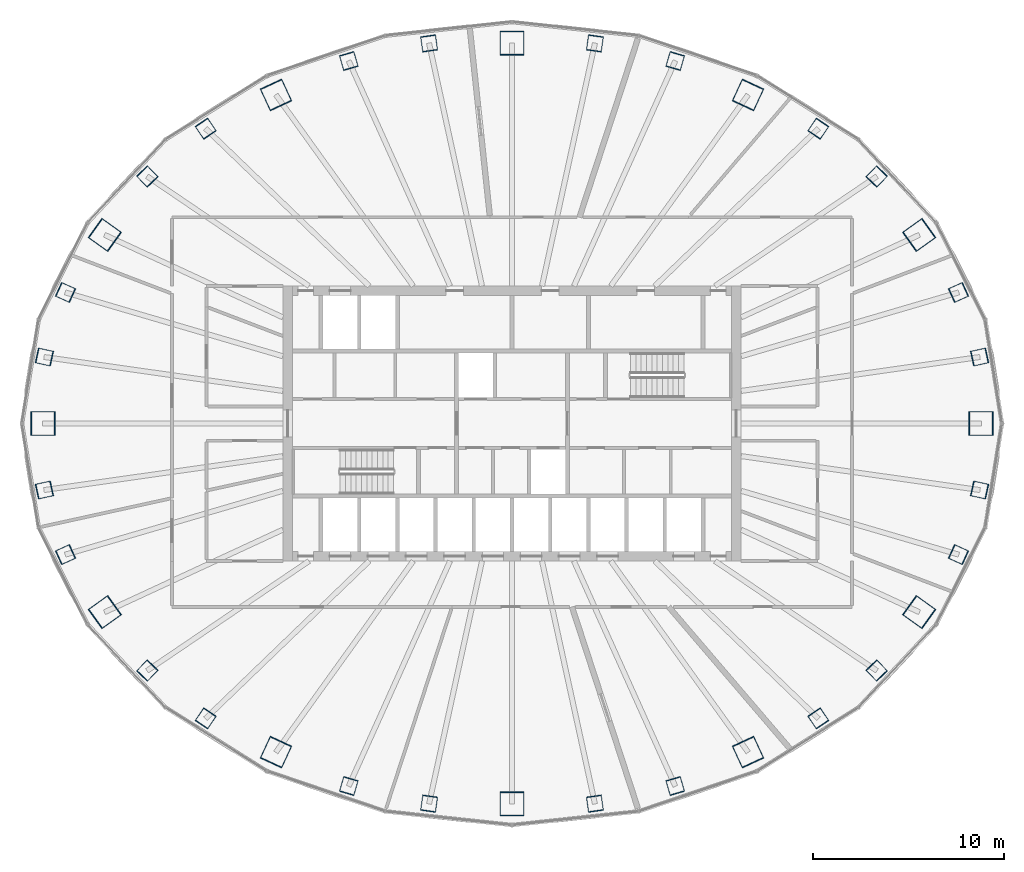
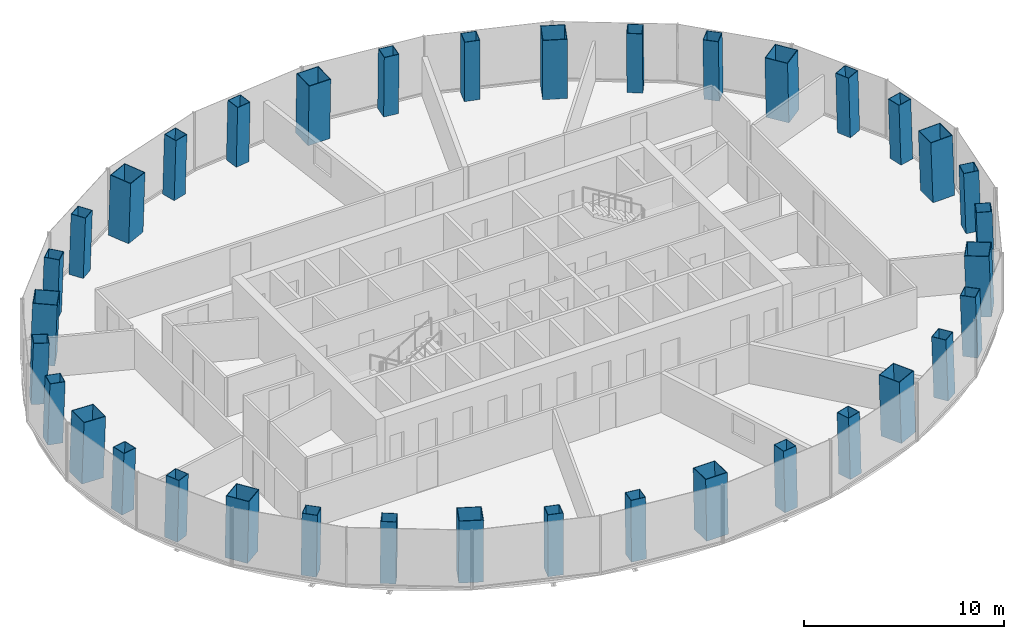
# One storey, part 1 of 12: 36 columns.
"""IFC4 building model written with IfcOpenShell, lengths in metres."""

from ifc_helpers import new_model, si_unit, direction, frame, origin, origin_2d, place, context, subcontext, project, spatial, hollow_rectangle, extrude, material, material_profile, profile_set, type_object, element, save


model = new_model("IFC4")

# Units and contexts
model_context = context("Model", 3, precision=1e-05, world=origin(), true_north=direction((0.0, 1.0)))
body_context = subcontext(model_context, "Body", "Model", "MODEL_VIEW")
ifc_project = project(units=[si_unit("LENGTHUNIT", "METRE"), si_unit("AREAUNIT", "SQUARE_METRE"), si_unit("VOLUMEUNIT", "CUBIC_METRE"), si_unit("PLANEANGLEUNIT", "RADIAN"), si_unit("MASSUNIT", "GRAM", prefix="KILO")], contexts=[model_context])

# Site, building, storey
site_placement = place(None, origin())
site = spatial("IfcSite", under=ifc_project, at=site_placement, CompositionType="ELEMENT")
building_placement = place(site_placement, origin())
building = spatial("IfcBuilding", under=site, at=building_placement, Name="Siaravel Broadcast Tower", CompositionType="ELEMENT")
storey_placement = place(building_placement, frame((0.0, 0.0, 111.89990234375)))
storey = spatial("IfcBuildingStorey", under=building, at=storey_placement, Name="L26", CompositionType="ELEMENT", Elevation=111.89990234375)

# Columns
ifc_material = material(Name="Concrete C60/75", Category="concrete")
ifc_material_profile_1 = material_profile(ifc_material, hollow_rectangle(XDim=1.25, YDim=1.25, WallThickness=0.031982421875, at=origin_2d()))
ifc_profile_set_1 = profile_set([ifc_material_profile_1], Name="Concrete C60/75")
column_type_1 = type_object("IfcColumnType", Name="COL-CFT BOX 1250x1250x32", PredefinedType="COLUMN", material=ifc_profile_set_1)
column_1_placement = place(storey_placement, frame((24.5693359375, 0.0, 0.0), z_axis=(-0.034553121, 0.0, 0.999402863), x_axis=(0.0, -1.0, 0.0)))
element("IfcColumn", 1, at=column_1_placement, inside=storey, type_object=column_type_1, Name="Megacolumn MC01", PredefinedType="COLUMN", context=body_context, shape_type="SweptSolid", body=[
    extrude(hollow_rectangle(XDim=1.25, YDim=1.25, WallThickness=0.031982421875, at=origin_2d()), origin(), (0.0, 0.0, 1.0), 3.702392578125),
])
column_2_placement = place(storey_placement, frame((21.331298828125, 9.87939453125, 0.0), z_axis=(-0.030004578, -0.014177988, 0.999449203), x_axis=(0.582303599, -0.812949646, 0.005949061)))
element("IfcColumn", 2, at=column_2_placement, inside=storey, type_object=column_type_1, Name="Megacolumn MC02", PredefinedType="COLUMN", context=body_context, shape_type="SweptSolid", body=[
    extrude(hollow_rectangle(XDim=1.25, YDim=1.25, WallThickness=0.031982421875, at=origin_2d()), origin(), (0.0, 0.0, 1.0), 3.7021484375),
])
column_3_placement = place(storey_placement, frame((12.364501953125, 17.214599609375, 0.0), z_axis=(-0.017345029, -0.024533653, 0.999548523), x_axis=(0.907130026, -0.420815662, 0.005412495)))
element("IfcColumn", 3, at=column_3_placement, inside=storey, type_object=column_type_1, Name="Megacolumn MC03", PredefinedType="COLUMN", context=body_context, shape_type="SweptSolid", body=[
    extrude(hollow_rectangle(XDim=1.25, YDim=1.25, WallThickness=0.031982421875, at=origin_2d()), origin(), (0.0, 0.0, 1.0), 3.701904296875),
])
column_4_placement = place(storey_placement, frame((0.0, 19.926025390625, 0.0), z_axis=(0.0, -0.028294289, 0.999599636), x_axis=(1.0, 0.0, 0.0)))
element("IfcColumn", 4, at=column_4_placement, inside=storey, type_object=column_type_1, Name="Megacolumn MC04", PredefinedType="COLUMN", context=body_context, shape_type="SweptSolid", body=[
    extrude(hollow_rectangle(XDim=1.25, YDim=1.25, WallThickness=0.031982421875, at=origin_2d()), origin(), (0.0, 0.0, 1.0), 3.70166015625),
])
column_5_placement = place(storey_placement, frame((-12.364501953125, 17.214599609375, 0.0), z_axis=(0.017345029, -0.024533653, 0.999548523), x_axis=(0.907130026, 0.420815662, -0.005412495)))
element("IfcColumn", 5, at=column_5_placement, inside=storey, type_object=column_type_1, Name="Megacolumn MC05", PredefinedType="COLUMN", context=body_context, shape_type="SweptSolid", body=[
    extrude(hollow_rectangle(XDim=1.25, YDim=1.25, WallThickness=0.031982421875, at=origin_2d()), origin(), (0.0, 0.0, 1.0), 3.701904296875),
])
column_6_placement = place(storey_placement, frame((-21.331298828125, 9.87939453125, 0.0), z_axis=(0.030004578, -0.014177988, 0.999449203), x_axis=(0.582303599, 0.812949646, -0.005949061)))
element("IfcColumn", 6, at=column_6_placement, inside=storey, type_object=column_type_1, Name="Megacolumn MC06", PredefinedType="COLUMN", context=body_context, shape_type="SweptSolid", body=[
    extrude(hollow_rectangle(XDim=1.25, YDim=1.25, WallThickness=0.031982421875, at=origin_2d()), origin(), (0.0, 0.0, 1.0), 3.7021484375),
])
column_7_placement = place(storey_placement, frame((-24.5693359375, 0.0, 0.0), z_axis=(0.034553121, 0.0, 0.999402863), x_axis=(0.0, 1.0, 0.0)))
element("IfcColumn", 7, at=column_7_placement, inside=storey, type_object=column_type_1, Name="Megacolumn MC07", PredefinedType="COLUMN", context=body_context, shape_type="SweptSolid", body=[
    extrude(hollow_rectangle(XDim=1.25, YDim=1.25, WallThickness=0.031982421875, at=origin_2d()), origin(), (0.0, 0.0, 1.0), 3.702392578125),
])
column_8_placement = place(storey_placement, frame((-21.331298828125, -9.87939453125, 0.0), z_axis=(0.030004578, 0.014177988, 0.999449203), x_axis=(-0.582303599, 0.812949646, 0.005949061)))
element("IfcColumn", 8, at=column_8_placement, inside=storey, type_object=column_type_1, Name="Megacolumn MC08", PredefinedType="COLUMN", context=body_context, shape_type="SweptSolid", body=[
    extrude(hollow_rectangle(XDim=1.25, YDim=1.25, WallThickness=0.031982421875, at=origin_2d()), origin(), (0.0, 0.0, 1.0), 3.7021484375),
])
column_9_placement = place(storey_placement, frame((-12.364501953125, -17.214599609375, 0.0), z_axis=(0.017345029, 0.024533653, 0.999548523), x_axis=(-0.907130026, 0.420815662, 0.005412495)))
element("IfcColumn", 9, at=column_9_placement, inside=storey, type_object=column_type_1, Name="Megacolumn MC09", PredefinedType="COLUMN", context=body_context, shape_type="SweptSolid", body=[
    extrude(hollow_rectangle(XDim=1.25, YDim=1.25, WallThickness=0.031982421875, at=origin_2d()), origin(), (0.0, 0.0, 1.0), 3.701904296875),
])
column_10_placement = place(storey_placement, frame((0.0, -19.926025390625, 0.0), z_axis=(0.0, 0.028294289, 0.999599636), x_axis=(-1.0, 0.0, 0.0)))
element("IfcColumn", 10, at=column_10_placement, inside=storey, type_object=column_type_1, Name="Megacolumn MC10", PredefinedType="COLUMN", context=body_context, shape_type="SweptSolid", body=[
    extrude(hollow_rectangle(XDim=1.25, YDim=1.25, WallThickness=0.031982421875, at=origin_2d()), origin(), (0.0, 0.0, 1.0), 3.70166015625),
])
column_11_placement = place(storey_placement, frame((12.364501953125, -17.214599609375, 0.0), z_axis=(-0.017345029, 0.024533653, 0.999548523), x_axis=(-0.907130026, -0.420815662, -0.005412495)))
element("IfcColumn", 11, at=column_11_placement, inside=storey, type_object=column_type_1, Name="Megacolumn MC11", PredefinedType="COLUMN", context=body_context, shape_type="SweptSolid", body=[
    extrude(hollow_rectangle(XDim=1.25, YDim=1.25, WallThickness=0.031982421875, at=origin_2d()), origin(), (0.0, 0.0, 1.0), 3.701904296875),
])
column_12_placement = place(storey_placement, frame((21.331298828125, -9.87939453125, 0.0), z_axis=(-0.030004578, 0.014177988, 0.999449203), x_axis=(-0.582303599, -0.812949646, -0.005949061)))
element("IfcColumn", 12, at=column_12_placement, inside=storey, type_object=column_type_1, Name="Megacolumn MC12", PredefinedType="COLUMN", context=body_context, shape_type="SweptSolid", body=[
    extrude(hollow_rectangle(XDim=1.25, YDim=1.25, WallThickness=0.031982421875, at=origin_2d()), origin(), (0.0, 0.0, 1.0), 3.7021484375),
])
ifc_material_profile_2 = material_profile(ifc_material, hollow_rectangle(XDim=0.800048828125, YDim=0.800048828125, WallThickness=0.02490234375, at=origin_2d()))
ifc_profile_set_2 = profile_set([ifc_material_profile_2], Name="Concrete C60/75")
column_type_2 = type_object("IfcColumnType", Name="COL-CFT BOX 800x800x25", PredefinedType="COLUMN", material=ifc_profile_set_2)
for number, where, z_axis, x_axis, name in (
    (13, (24.497314453125, 3.48291015625, 0.0), (-0.034091657, -0.004945598, 0.999406474), (0.213179579, -0.977009993, 0.002437193), "Perimeter column C01"),
    (14, (23.39013671875, 6.866455078125, 0.0), (-0.032443776, -0.009693567, 0.999426554), (0.410377557, -0.911904719, 0.004477155), "Perimeter column C02"),
):
    element("IfcColumn", number, at=place(storey_placement, frame(where, z_axis=z_axis, x_axis=x_axis)), inside=storey, type_object=column_type_2, Name=name, PredefinedType="COLUMN", context=body_context, shape_type="SweptSolid", body=[
        extrude(hollow_rectangle(XDim=0.800048828125, YDim=0.800048828125, WallThickness=0.02490234375, at=origin_2d()), origin(), (0.0, 0.0, 1.0), 3.702392578125),
    ])
column_13_placement = place(storey_placement, frame((19.10498046875, 12.94287109375, 0.0), z_axis=(-0.026510431, -0.018201192, 0.999482823), x_axis=(0.719826431, -0.694124107, 0.00645236)))
element("IfcColumn", 15, at=column_13_placement, inside=storey, type_object=column_type_2, Name="Perimeter column C03", PredefinedType="COLUMN", context=body_context, shape_type="SweptSolid", body=[
    extrude(hollow_rectangle(XDim=0.800048828125, YDim=0.800048828125, WallThickness=0.02490234375, at=origin_2d()), origin(), (0.0, 0.0, 1.0), 3.7021484375),
])
column_14_placement = place(storey_placement, frame((16.046875, 15.447509765625, 0.0), z_axis=(-0.02222469, -0.021697101, 0.999517533), x_axis=(0.827998766, -0.560695204, 0.006239566)))
element("IfcColumn", 16, at=column_14_placement, inside=storey, type_object=column_type_2, Name="Perimeter column C04", PredefinedType="COLUMN", context=body_context, shape_type="SweptSolid", body=[
    extrude(hollow_rectangle(XDim=0.800048828125, YDim=0.800048828125, WallThickness=0.02490234375, at=origin_2d()), origin(), (0.0, 0.0, 1.0), 3.701904296875),
])
for number, where, z_axis, x_axis, name in (
    (17, (8.55078125, 18.991455078125, 0.0), (-0.011805488, -0.026644788, 0.999575253), (0.959989553, -0.280009019, 0.003874009), "Perimeter column C05"),
    (18, (4.343017578125, 19.914794921875, 0.0), (-0.006001778, -0.027898372, 0.999592747), (0.990123022, -0.140186554, 0.002032349), "Perimeter column C06"),
    (19, (-4.343017578125, 19.914794921875, 0.0), (0.006001778, -0.027898372, 0.999592747), (0.990123022, 0.140186554, -0.002032349), "Perimeter column C07"),
    (20, (-8.55078125, 18.991455078125, 0.0), (0.011805488, -0.026644788, 0.999575253), (0.959989553, 0.280009019, -0.003874009), "Perimeter column C08"),
):
    element("IfcColumn", number, at=place(storey_placement, frame(where, z_axis=z_axis, x_axis=x_axis)), inside=storey, type_object=column_type_2, Name=name, PredefinedType="COLUMN", context=body_context, shape_type="SweptSolid", body=[
        extrude(hollow_rectangle(XDim=0.800048828125, YDim=0.800048828125, WallThickness=0.02490234375, at=origin_2d()), origin(), (0.0, 0.0, 1.0), 3.70166015625),
    ])
column_15_placement = place(storey_placement, frame((-16.046875, 15.447509765625, 0.0), z_axis=(0.02222469, -0.021697101, 0.999517533), x_axis=(0.827998766, 0.560695204, -0.006239566)))
element("IfcColumn", 21, at=column_15_placement, inside=storey, type_object=column_type_2, Name="Perimeter column C09", PredefinedType="COLUMN", context=body_context, shape_type="SweptSolid", body=[
    extrude(hollow_rectangle(XDim=0.800048828125, YDim=0.800048828125, WallThickness=0.02490234375, at=origin_2d()), origin(), (0.0, 0.0, 1.0), 3.701904296875),
])
column_16_placement = place(storey_placement, frame((-19.10498046875, 12.94287109375, 0.0), z_axis=(0.026510431, -0.018201192, 0.999482823), x_axis=(0.719826431, 0.694124107, -0.00645236)))
element("IfcColumn", 22, at=column_16_placement, inside=storey, type_object=column_type_2, Name="Perimeter column C10", PredefinedType="COLUMN", context=body_context, shape_type="SweptSolid", body=[
    extrude(hollow_rectangle(XDim=0.800048828125, YDim=0.800048828125, WallThickness=0.02490234375, at=origin_2d()), origin(), (0.0, 0.0, 1.0), 3.7021484375),
])
for number, where, z_axis, x_axis, name in (
    (23, (-23.39013671875, 6.866455078125, 0.0), (0.032443776, -0.009693567, 0.999426554), (0.410377557, 0.911904719, -0.004477155), "Perimeter column C11"),
    (24, (-24.497314453125, 3.48291015625, 0.0), (0.034091657, -0.004945598, 0.999406474), (0.213179579, 0.977009993, -0.002437193), "Perimeter column C12"),
    (25, (-24.497314453125, -3.48291015625, 0.0), (0.034091657, 0.004945598, 0.999406474), (-0.213179579, 0.977009993, 0.002437193), "Perimeter column C13"),
    (26, (-23.39013671875, -6.866455078125, 0.0), (0.032443776, 0.009693567, 0.999426554), (-0.410377557, 0.911904719, 0.004477155), "Perimeter column C14"),
):
    element("IfcColumn", number, at=place(storey_placement, frame(where, z_axis=z_axis, x_axis=x_axis)), inside=storey, type_object=column_type_2, Name=name, PredefinedType="COLUMN", context=body_context, shape_type="SweptSolid", body=[
        extrude(hollow_rectangle(XDim=0.800048828125, YDim=0.800048828125, WallThickness=0.02490234375, at=origin_2d()), origin(), (0.0, 0.0, 1.0), 3.702392578125),
    ])
column_17_placement = place(storey_placement, frame((-19.10498046875, -12.94287109375, 0.0), z_axis=(0.026510431, 0.018201192, 0.999482823), x_axis=(-0.719826431, 0.694124107, 0.00645236)))
element("IfcColumn", 27, at=column_17_placement, inside=storey, type_object=column_type_2, Name="Perimeter column C15", PredefinedType="COLUMN", context=body_context, shape_type="SweptSolid", body=[
    extrude(hollow_rectangle(XDim=0.800048828125, YDim=0.800048828125, WallThickness=0.02490234375, at=origin_2d()), origin(), (0.0, 0.0, 1.0), 3.7021484375),
])
column_18_placement = place(storey_placement, frame((-16.046875, -15.447509765625, 0.0), z_axis=(0.02222469, 0.021697101, 0.999517533), x_axis=(-0.827998766, 0.560695204, 0.006239566)))
element("IfcColumn", 28, at=column_18_placement, inside=storey, type_object=column_type_2, Name="Perimeter column C16", PredefinedType="COLUMN", context=body_context, shape_type="SweptSolid", body=[
    extrude(hollow_rectangle(XDim=0.800048828125, YDim=0.800048828125, WallThickness=0.02490234375, at=origin_2d()), origin(), (0.0, 0.0, 1.0), 3.701904296875),
])
for number, where, z_axis, x_axis, name in (
    (29, (-8.55078125, -18.991455078125, 0.0), (0.011805488, 0.026644788, 0.999575253), (-0.959989553, 0.280009019, 0.003874009), "Perimeter column C17"),
    (30, (-4.343017578125, -19.914794921875, 0.0), (0.006001778, 0.027898372, 0.999592747), (-0.990123022, 0.140186554, 0.002032349), "Perimeter column C18"),
    (31, (4.343017578125, -19.914794921875, 0.0), (-0.006001778, 0.027898372, 0.999592747), (-0.990123022, -0.140186554, -0.002032349), "Perimeter column C19"),
    (32, (8.55078125, -18.991455078125, 0.0), (-0.011805488, 0.026644788, 0.999575253), (-0.959989553, -0.280009019, -0.003874009), "Perimeter column C20"),
):
    element("IfcColumn", number, at=place(storey_placement, frame(where, z_axis=z_axis, x_axis=x_axis)), inside=storey, type_object=column_type_2, Name=name, PredefinedType="COLUMN", context=body_context, shape_type="SweptSolid", body=[
        extrude(hollow_rectangle(XDim=0.800048828125, YDim=0.800048828125, WallThickness=0.02490234375, at=origin_2d()), origin(), (0.0, 0.0, 1.0), 3.70166015625),
    ])
column_19_placement = place(storey_placement, frame((16.046875, -15.447509765625, 0.0), z_axis=(-0.02222469, 0.021697101, 0.999517533), x_axis=(-0.827998766, -0.560695204, -0.006239566)))
element("IfcColumn", 33, at=column_19_placement, inside=storey, type_object=column_type_2, Name="Perimeter column C21", PredefinedType="COLUMN", context=body_context, shape_type="SweptSolid", body=[
    extrude(hollow_rectangle(XDim=0.800048828125, YDim=0.800048828125, WallThickness=0.02490234375, at=origin_2d()), origin(), (0.0, 0.0, 1.0), 3.701904296875),
])
column_20_placement = place(storey_placement, frame((19.10498046875, -12.94287109375, 0.0), z_axis=(-0.026510431, 0.018201192, 0.999482823), x_axis=(-0.719826431, -0.694124107, -0.00645236)))
element("IfcColumn", 34, at=column_20_placement, inside=storey, type_object=column_type_2, Name="Perimeter column C22", PredefinedType="COLUMN", context=body_context, shape_type="SweptSolid", body=[
    extrude(hollow_rectangle(XDim=0.800048828125, YDim=0.800048828125, WallThickness=0.02490234375, at=origin_2d()), origin(), (0.0, 0.0, 1.0), 3.7021484375),
])
for number, where, z_axis, x_axis, name in (
    (35, (23.39013671875, -6.866455078125, 0.0), (-0.032443776, 0.009693567, 0.999426554), (-0.410377557, -0.911904719, -0.004477155), "Perimeter column C23"),
    (36, (24.497314453125, -3.48291015625, 0.0), (-0.034091657, 0.004945598, 0.999406474), (-0.213179579, -0.977009993, -0.002437193), "Perimeter column C24"),
):
    element("IfcColumn", number, at=place(storey_placement, frame(where, z_axis=z_axis, x_axis=x_axis)), inside=storey, type_object=column_type_2, Name=name, PredefinedType="COLUMN", context=body_context, shape_type="SweptSolid", body=[
        extrude(hollow_rectangle(XDim=0.800048828125, YDim=0.800048828125, WallThickness=0.02490234375, at=origin_2d()), origin(), (0.0, 0.0, 1.0), 3.702392578125),
    ])

save(model, "model.ifc")
